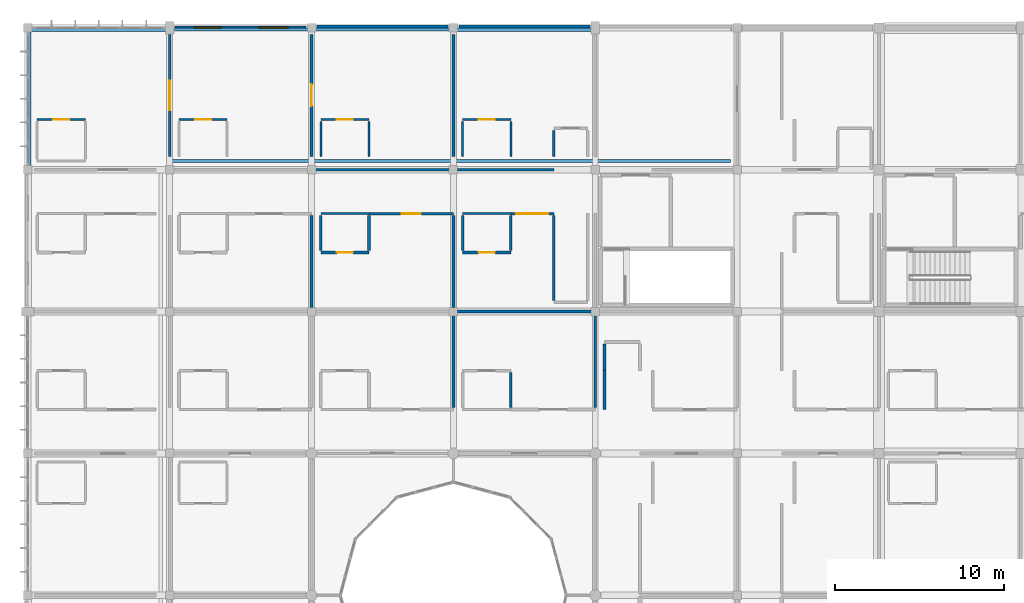
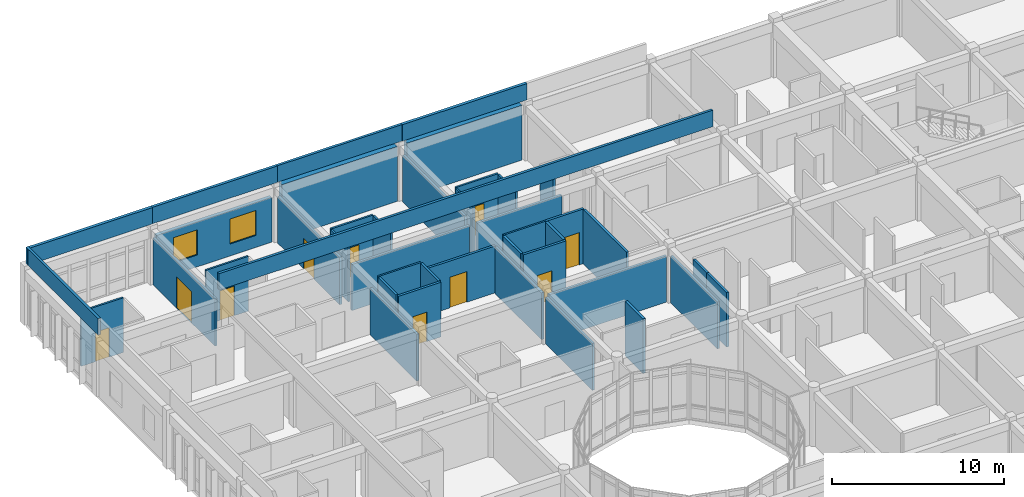
# One storey, part 87 of 119: 42 walls, 10 doors, 2 windows, 12 openings.
"""IFC4 building model written with IfcOpenShell, lengths in metres."""

from ifc_helpers import new_model, si_unit, direction, frame, frame_2d, origin, place, context, subcontext, project, spatial, rectangle, extrude, material, layer, layer_set, type_object, element, fill, save


model = new_model("IFC4")

# Units and contexts
model_context = context("Model", 3, precision=1e-05, world=origin(), true_north=direction((0.0, 1.0)))
body_context = subcontext(model_context, "Body", "Model", "MODEL_VIEW")
ifc_project = project(units=[si_unit("LENGTHUNIT", "METRE"), si_unit("AREAUNIT", "SQUARE_METRE"), si_unit("VOLUMEUNIT", "CUBIC_METRE"), si_unit("PLANEANGLEUNIT", "RADIAN"), si_unit("MASSUNIT", "GRAM", prefix="KILO")], contexts=[model_context])

# Site, building, storey
site_placement = place(None, origin())
site = spatial("IfcSite", under=ifc_project, at=site_placement, CompositionType="ELEMENT")
building_placement = place(site_placement, origin())
building = spatial("IfcBuilding", under=site, at=building_placement, Name="Bramfleet General Hospital", CompositionType="ELEMENT")
storey_placement = place(building_placement, frame((0.0, 0.0, 14.39990234375)))
storey = spatial("IfcBuildingStorey", under=building, at=storey_placement, Name="L03", CompositionType="ELEMENT", Elevation=14.39990234375)

# Walls
ifc_material_1 = material(Name="Concrete C35/45", Category="concrete")
ifc_layer_1 = layer(ifc_material_1, 0.360107421875, Name="WT-EW-02")
ifc_layer_set_1 = layer_set([ifc_layer_1], Name="Concrete C35/45")
wall_type_1 = type_object("IfcWallType", Name="WT-EW-02", PredefinedType="SOLIDWALL", material=ifc_layer_set_1)
for number, where, z_axis, x_axis, name in (
    (1, (17.125, 117.60009765625, 0.0), (0.0, 0.0, 1.0), (1.0, 0.0, 0.0), "L03 North REI 90-M Party Wall 239"),
    (2, (25.52490234375, 117.60009765625, 0.0), (0.0, 0.0, 1.0), (1.0, 0.0, 0.0), "L03 North REI 90-M Party Wall 240"),
):
    element("IfcWall", number, at=place(storey_placement, frame(where, z_axis=z_axis, x_axis=x_axis)), inside=storey, type_object=wall_type_1, Name=name, PredefinedType="SOLIDWALL", context=body_context, shape_type="SweptSolid", body=[
        extrude(rectangle(XDim=7.75, YDim=0.360107421875, at=frame_2d((3.875, 0.0))), origin(), (0.0, 0.0, 1.0), 3.900146484375),
    ])

# Wall, openings, windows
ifc_material_2 = material(Name="Precast concrete C40/50", Category="concrete")
ifc_layer_2 = layer(ifc_material_2, 0.235107421875, Name="WT-EW-09")
ifc_layer_set_2 = layer_set([ifc_layer_2], Name="Precast concrete C40/50")
wall_type_2 = type_object("IfcWallType", Name="WT-EW-09", PredefinedType="SOLIDWALL", material=ifc_layer_set_2)
wall_1_placement = place(storey_placement, frame((8.72509765625, 117.60009765625, 0.0), z_axis=(0.0, 0.0, 1.0), x_axis=(1.0, 0.0, 0.0)))
wall_1 = element("IfcWall", 3, at=wall_1_placement, inside=storey, type_object=wall_type_2, Name="L03 Exterior Wall 238", PredefinedType="SOLIDWALL", context=body_context, shape_type="SweptSolid", body=[
    extrude(rectangle(XDim=7.75, YDim=0.235107421875, at=frame_2d((3.875, 0.0))), origin(), (0.0, 0.0, 1.0), 3.190185546875),
])
opening_1_placement = place(wall_1_placement, frame((1.137451171875, 0.0, 0.85009765625)))
opening_1 = element("IfcOpeningElement", 4, at=opening_1_placement, cuts=wall_1, Name="Opening W-44", PredefinedType="OPENING", context=body_context, shape_type="SweptSolid", body=[
    extrude(rectangle(XDim=1.60009765625, YDim=1.780029296875, at=frame_2d((0.800048828125, 0.89013671875))), frame((0.0, 0.12744140625, 0.0), z_axis=(0.0, -1.0, 0.0), x_axis=(1.0, 0.0, 0.0)), (0.0, 0.0, 1.0), 0.255126953125),
])
opening_2_placement = place(wall_1_placement, frame((4.9375, 0.0, 0.85009765625)))
opening_2 = element("IfcOpeningElement", 5, at=opening_2_placement, cuts=wall_1, Name="Opening W-45", PredefinedType="OPENING", context=body_context, shape_type="SweptSolid", body=[
    extrude(rectangle(XDim=1.75, YDim=1.780029296875, at=frame_2d((0.875, 0.89013671875))), frame((0.0, 0.12744140625, 0.0), z_axis=(0.0, -1.0, 0.0), x_axis=(1.0, 0.0, 0.0)), (0.0, 0.0, 1.0), 0.255126953125),
])
ifc_material_3 = material(Name="Anodised aluminium and low-E triple glazing", Category="aluminium")
window_type_1 = type_object("IfcWindowType", Name="WIN-W-44", PartitioningType="SINGLE_PANEL", PredefinedType="WINDOW", material=ifc_material_3)
window_1_placement = place(opening_1_placement, origin())
window_1 = element("IfcWindow", 6, at=window_1_placement, inside=storey, type_object=window_type_1, Name="L03 Facade Window WIN-L03-238-1", OverallHeight=1.780029296875, OverallWidth=1.60009765625, PartitioningType="SINGLE_PANEL", PredefinedType="WINDOW", context=body_context, shape_type="SweptSolid", body=[
    extrude(rectangle(XDim=1.60009765625, YDim=1.780029296875, at=frame_2d((0.800048828125, 0.89013671875))), frame((0.0, 0.030029296875, 0.0), z_axis=(0.0, -1.0, 0.0), x_axis=(1.0, 0.0, 0.0)), (0.0, 0.0, 1.0), 0.06005859375),
])
fill(opening_1, window_1)
window_type_2 = type_object("IfcWindowType", Name="WIN-W-45", PartitioningType="SINGLE_PANEL", PredefinedType="WINDOW", material=ifc_material_3)
window_2_placement = place(opening_2_placement, origin())
window_2 = element("IfcWindow", 7, at=window_2_placement, inside=storey, type_object=window_type_2, Name="L03 Facade Window WIN-L03-238-2", OverallHeight=1.780029296875, OverallWidth=1.75, PartitioningType="SINGLE_PANEL", PredefinedType="WINDOW", context=body_context, shape_type="SweptSolid", body=[
    extrude(rectangle(XDim=1.75, YDim=1.780029296875, at=frame_2d((0.875, 0.89013671875))), frame((0.0, 0.030029296875, 0.0), z_axis=(0.0, -1.0, 0.0), x_axis=(1.0, 0.0, 0.0)), (0.0, 0.0, 1.0), 0.06005859375),
])
fill(opening_2, window_2)

# Wall
ifc_material_4 = material(Name="Gypsum plasterboard on acoustic steel studs", Category="steel")
ifc_layer_3 = layer(ifc_material_4, 0.159912109375, Name="WT-IW-06")
ifc_layer_set_3 = layer_set([ifc_layer_3], Name="Gypsum plasterboard on acoustic steel studs")
wall_type_3 = type_object("IfcWallType", Name="WT-IW-06", PredefinedType="PARTITIONING", material=ifc_layer_set_3)
wall_2_placement = place(storey_placement, frame((25.445068359375, 100.800048828125, 0.0), z_axis=(0.0, 0.0, 1.0), x_axis=(1.0, 0.0, 0.0)))
element("IfcWall", 8, at=wall_2_placement, inside=storey, type_object=wall_type_3, Name="L03 Interior Partition IW-L03-2688", PredefinedType="PARTITIONING", context=body_context, shape_type="SweptSolid", body=[
    extrude(rectangle(XDim=7.909912109375, YDim=0.159912109375, at=frame_2d((3.955078125, 0.0))), origin(), (0.0, 0.0, 1.0), 3.280029296875),
])

# Wall, opening, door
wall_3_placement = place(storey_placement, frame((17.35009765625, 104.300048828125, 0.0), z_axis=(0.0, 0.0, 1.0), x_axis=(1.0, 0.0, 0.0)))
wall_3 = element("IfcWall", 9, at=wall_3_placement, inside=storey, type_object=wall_type_3, Name="L03 Interior Partition IW-L03-2713", PredefinedType="PARTITIONING", context=body_context, shape_type="SweptSolid", body=[
    extrude(rectangle(XDim=2.849853515625, YDim=0.159912109375, at=frame_2d((1.4248046875, 0.0))), origin(), (0.0, 0.0, 1.0), 3.89013671875),
])
opening_3_placement = place(wall_3_placement, frame((0.949951171875, 0.0, 0.0)))
opening_3 = element("IfcOpeningElement", 10, at=opening_3_placement, cuts=wall_3, Name="Opening D1052", PredefinedType="OPENING", context=body_context, shape_type="SweptSolid", body=[
    extrude(rectangle(XDim=0.949951171875, YDim=2.10009765625, at=frame_2d((0.47509765625, 1.050048828125))), frame((0.0, 0.08984375, 0.0), z_axis=(0.0, -1.0, 0.0), x_axis=(1.0, 0.0, 0.0)), (0.0, 0.0, 1.0), 0.179931640625),
])
ifc_material_5 = material(Name="Stainless steel and acoustic timber leaf", Category="steel")
door_type_1 = type_object("IfcDoorType", Name="DR-D-10", OperationType="NOTDEFINED", PredefinedType="DOOR", material=ifc_material_5)
door_1_placement = place(opening_3_placement, origin())
door_1 = element("IfcDoor", 11, at=door_1_placement, inside=storey, type_object=door_type_1, Name="Neonatal Family En-Suite WC L03-0212 Door D1052", OperationType="SINGLE_SWING_LEFT", OverallHeight=2.10009765625, OverallWidth=0.949951171875, PredefinedType="DOOR", context=body_context, shape_type="SweptSolid", body=[
    extrude(rectangle(XDim=0.949951171875, YDim=2.10009765625, at=frame_2d((0.47509765625, 1.050048828125))), frame((0.0, 0.02490234375, 0.0), z_axis=(0.0, -1.0, 0.0), x_axis=(1.0, 0.0, 0.0)), (0.0, 0.0, 1.0), 0.050048828125),
])
fill(opening_3, door_1)

wall_4_placement = place(storey_placement, frame((25.75, 104.300048828125, 0.0), z_axis=(0.0, 0.0, 1.0), x_axis=(1.0, 0.0, 0.0)))
wall_4 = element("IfcWall", 12, at=wall_4_placement, inside=storey, type_object=wall_type_3, Name="L03 Interior Partition IW-L03-2714", PredefinedType="PARTITIONING", context=body_context, shape_type="SweptSolid", body=[
    extrude(rectangle(XDim=2.85009765625, YDim=0.159912109375, at=frame_2d((1.425048828125, 0.0))), origin(), (0.0, 0.0, 1.0), 3.89013671875),
])
opening_4_placement = place(wall_4_placement, frame((0.949951171875, 0.0, 0.0)))
opening_4 = element("IfcOpeningElement", 13, at=opening_4_placement, cuts=wall_4, Name="Opening D1063", PredefinedType="OPENING", context=body_context, shape_type="SweptSolid", body=[
    extrude(rectangle(XDim=0.949951171875, YDim=2.10009765625, at=frame_2d((0.47509765625, 1.050048828125))), frame((0.0, 0.08984375, 0.0), z_axis=(0.0, -1.0, 0.0), x_axis=(1.0, 0.0, 0.0)), (0.0, 0.0, 1.0), 0.179931640625),
])
door_2_placement = place(opening_4_placement, origin())
door_2 = element("IfcDoor", 14, at=door_2_placement, inside=storey, type_object=door_type_1, Name="Neonatal Family En-Suite WC L03-0312 Door D1063", OperationType="SINGLE_SWING_LEFT", OverallHeight=2.10009765625, OverallWidth=0.949951171875, PredefinedType="DOOR", context=body_context, shape_type="SweptSolid", body=[
    extrude(rectangle(XDim=0.949951171875, YDim=2.10009765625, at=frame_2d((0.47509765625, 1.050048828125))), frame((0.0, 0.02490234375, 0.0), z_axis=(0.0, -1.0, 0.0), x_axis=(1.0, 0.0, 0.0)), (0.0, 0.0, 1.0), 0.050048828125),
])
fill(opening_4, door_2)

wall_5_placement = place(storey_placement, frame((20.199951171875, 106.60009765625, 0.0), z_axis=(0.0, 0.0, 1.0), x_axis=(1.0, 0.0, 0.0)))
wall_5 = element("IfcWall", 15, at=wall_5_placement, inside=storey, type_object=wall_type_3, Name="L03 Interior Partition IW-L03-2720", PredefinedType="PARTITIONING", context=body_context, shape_type="SweptSolid", body=[
    extrude(rectangle(XDim=5.0, YDim=0.159912109375, at=frame_2d((2.5, 0.0))), origin(), (0.0, 0.0, 1.0), 3.330078125),
])
opening_5_placement = place(wall_5_placement, frame((1.93994140625, 0.0, 0.0)))
opening_5 = element("IfcOpeningElement", 16, at=opening_5_placement, cuts=wall_5, Name="Opening D1051", PredefinedType="OPENING", context=body_context, shape_type="SweptSolid", body=[
    extrude(rectangle(XDim=1.1201171875, YDim=2.179931640625, at=frame_2d((0.56005859375, 1.08984375))), frame((0.0, 0.08984375, 0.0), z_axis=(0.0, -1.0, 0.0), x_axis=(1.0, 0.0, 0.0)), (0.0, 0.0, 1.0), 0.179931640625),
])
door_type_2 = type_object("IfcDoorType", Name="DR-D-27", OperationType="NOTDEFINED", PredefinedType="DOOR", material=ifc_material_5)
door_3_placement = place(opening_5_placement, origin())
door_3 = element("IfcDoor", 17, at=door_3_placement, inside=storey, type_object=door_type_2, Name="Neonatal Intensive Care Ward L03-0212 Door D1051", OperationType="SINGLE_SWING_RIGHT", OverallHeight=2.179931640625, OverallWidth=1.1201171875, PredefinedType="DOOR", context=body_context, shape_type="SweptSolid", body=[
    extrude(rectangle(XDim=1.1201171875, YDim=2.179931640625, at=frame_2d((0.56005859375, 1.08984375))), frame((0.0, 0.02490234375, 0.0), z_axis=(0.0, -1.0, 0.0), x_axis=(1.0, 0.0, 0.0)), (0.0, 0.0, 1.0), 0.050048828125),
])
fill(opening_5, door_3)

wall_6_placement = place(storey_placement, frame((28.60009765625, 106.60009765625, 0.0), z_axis=(0.0, 0.0, 1.0), x_axis=(1.0, 0.0, 0.0)))
wall_6 = element("IfcWall", 18, at=wall_6_placement, inside=storey, type_object=wall_type_3, Name="L03 Interior Partition IW-L03-2722", PredefinedType="PARTITIONING", context=body_context, shape_type="SweptSolid", body=[
    extrude(rectangle(XDim=2.5498046875, YDim=0.159912109375, at=frame_2d((1.27490234375, 0.0))), origin(), (0.0, 0.0, 1.0), 3.89013671875),
])
opening_6_placement = place(wall_6_placement, frame((0.324951171875, 0.0, 0.0)))
opening_6 = element("IfcOpeningElement", 19, at=opening_6_placement, cuts=wall_6, Name="Opening D1062", PredefinedType="OPENING", context=body_context, shape_type="SweptSolid", body=[
    extrude(rectangle(XDim=1.89990234375, YDim=2.300048828125, at=frame_2d((0.949951171875, 1.14990234375))), frame((0.0, 0.08984375, 0.0), z_axis=(0.0, -1.0, 0.0), x_axis=(1.0, 0.0, 0.0)), (0.0, 0.0, 1.0), 0.179931640625),
])
door_type_3 = type_object("IfcDoorType", Name="DR-D-06", OperationType="NOTDEFINED", PredefinedType="DOOR", material=ifc_material_5)
door_4_placement = place(opening_6_placement, origin())
door_4 = element("IfcDoor", 20, at=door_4_placement, inside=storey, type_object=door_type_3, Name="Neonatal Intensive Care Ward L03-0312 Door D1062", OperationType="DOUBLE_SWING_LEFT", OverallHeight=2.300048828125, OverallWidth=1.89990234375, PredefinedType="DOOR", context=body_context, shape_type="SweptSolid", body=[
    extrude(rectangle(XDim=1.89990234375, YDim=2.300048828125, at=frame_2d((0.949951171875, 1.14990234375))), frame((0.0, 0.02490234375, 0.0), z_axis=(0.0, -1.0, 0.0), x_axis=(1.0, 0.0, 0.0)), (0.0, 0.0, 1.0), 0.050048828125),
])
fill(opening_6, door_4)

# Walls
wall_7_placement = place(storey_placement, frame((17.044921875, 109.199951171875, 0.0), z_axis=(0.0, 0.0, 1.0), x_axis=(1.0, 0.0, 0.0)))
element("IfcWall", 21, at=wall_7_placement, inside=storey, type_object=wall_type_3, Name="L03 Interior Partition IW-L03-2737", PredefinedType="PARTITIONING", context=body_context, shape_type="SweptSolid", body=[
    extrude(rectangle(XDim=7.91015625, YDim=0.159912109375, at=frame_2d((3.955078125, 0.0))), origin(), (0.0, 0.0, 1.0), 3.280029296875),
])
wall_8_placement = place(storey_placement, frame((25.445068359375, 109.199951171875, 0.0), z_axis=(0.0, 0.0, 1.0), x_axis=(1.0, 0.0, 0.0)))
element("IfcWall", 22, at=wall_8_placement, inside=storey, type_object=wall_type_3, Name="L03 Interior Partition IW-L03-2738", PredefinedType="PARTITIONING", context=body_context, shape_type="SweptSolid", body=[
    extrude(rectangle(XDim=5.704833984375, YDim=0.159912109375, at=frame_2d((2.8525390625, 0.0))), origin(), (0.0, 0.0, 1.0), 3.280029296875),
])

# Wall, opening, door
wall_9_placement = place(storey_placement, frame((8.39990234375, 109.9951171875, 0.0), z_axis=(0.0, 0.0, 1.0), x_axis=(0.0, 1.0, 0.0)))
wall_9 = element("IfcWall", 23, at=wall_9_placement, inside=storey, type_object=wall_type_3, Name="L03 Interior Partition IW-L03-2780", PredefinedType="PARTITIONING", context=body_context, shape_type="SweptSolid", body=[
    extrude(rectangle(XDim=7.21484375, YDim=0.159912109375, at=frame_2d((3.607421875, 0.0))), origin(), (0.0, 0.0, 1.0), 3.340087890625),
])
opening_7_placement = place(wall_9_placement, frame((2.737548828125, 0.0, 0.0)))
opening_7 = element("IfcOpeningElement", 24, at=opening_7_placement, cuts=wall_9, Name="Opening D1043", PredefinedType="OPENING", context=body_context, shape_type="SweptSolid", body=[
    extrude(rectangle(XDim=1.739990234375, YDim=2.239990234375, at=frame_2d((0.8701171875, 1.1201171875))), frame((0.0, 0.08984375, 0.0), z_axis=(0.0, -1.0, 0.0), x_axis=(1.0, 0.0, 0.0)), (0.0, 0.0, 1.0), 0.179931640625),
])
door_type_4 = type_object("IfcDoorType", Name="DR-D-19", OperationType="NOTDEFINED", PredefinedType="DOOR", material=ifc_material_5)
door_5_placement = place(opening_7_placement, origin())
door_5 = element("IfcDoor", 25, at=door_5_placement, inside=storey, type_object=door_type_4, Name="Neonatal Intensive Care Ward L03-0113 Door D1043", OperationType="DOUBLE_SWING_RIGHT", OverallHeight=2.239990234375, OverallWidth=1.739990234375, PredefinedType="DOOR", context=body_context, shape_type="SweptSolid", body=[
    extrude(rectangle(XDim=1.739990234375, YDim=2.239990234375, at=frame_2d((0.8701171875, 1.1201171875))), frame((0.0, 0.02490234375, 0.0), z_axis=(0.0, -1.0, 0.0), x_axis=(1.0, 0.0, 0.0)), (0.0, 0.0, 1.0), 0.050048828125),
])
fill(opening_7, door_5)

# Wall
wall_10_placement = place(storey_placement, frame((16.800048828125, 101.044921875, 0.0), z_axis=(0.0, 0.0, 1.0), x_axis=(0.0, 1.0, 0.0)))
element("IfcWall", 26, at=wall_10_placement, inside=storey, type_object=wall_type_3, Name="L03 Interior Partition IW-L03-2797", PredefinedType="PARTITIONING", context=body_context, shape_type="SweptSolid", body=[
    extrude(rectangle(XDim=5.440185546875, YDim=0.159912109375, at=frame_2d((2.72021484375, 0.0))), origin(), (0.0, 0.0, 1.0), 3.330078125),
])

# Wall, opening, door
wall_11_placement = place(storey_placement, frame((16.800048828125, 109.9951171875, 0.0), z_axis=(0.0, 0.0, 1.0), x_axis=(0.0, 1.0, 0.0)))
wall_11 = element("IfcWall", 27, at=wall_11_placement, inside=storey, type_object=wall_type_3, Name="L03 Interior Partition IW-L03-2798", PredefinedType="PARTITIONING", context=body_context, shape_type="SweptSolid", body=[
    extrude(rectangle(XDim=7.222412109375, YDim=0.159912109375, at=frame_2d((3.611328125, 0.0))), origin(), (0.0, 0.0, 1.0), 3.340087890625),
])
opening_8_placement = place(wall_11_placement, frame((2.97119140625, 0.0, 0.0)))
opening_8 = element("IfcOpeningElement", 28, at=opening_8_placement, cuts=wall_11, Name="Opening D1053", PredefinedType="OPENING", context=body_context, shape_type="SweptSolid", body=[
    extrude(rectangle(XDim=1.280029296875, YDim=2.179931640625, at=frame_2d((0.64013671875, 1.08984375))), frame((0.0, 0.08984375, 0.0), z_axis=(0.0, -1.0, 0.0), x_axis=(1.0, 0.0, 0.0)), (0.0, 0.0, 1.0), 0.179931640625),
])
door_type_5 = type_object("IfcDoorType", Name="DR-D-29", OperationType="NOTDEFINED", PredefinedType="DOOR", material=ifc_material_5)
door_6_placement = place(opening_8_placement, origin())
door_6 = element("IfcDoor", 29, at=door_6_placement, inside=storey, type_object=door_type_5, Name="Neonatal Intensive Care Ward L03-0213 Door D1053", OperationType="SINGLE_SWING_RIGHT", OverallHeight=2.179931640625, OverallWidth=1.280029296875, PredefinedType="DOOR", context=body_context, shape_type="SweptSolid", body=[
    extrude(rectangle(XDim=1.280029296875, YDim=2.179931640625, at=frame_2d((0.64013671875, 1.08984375))), frame((0.0, 0.02490234375, 0.0), z_axis=(0.0, -1.0, 0.0), x_axis=(1.0, 0.0, 0.0)), (0.0, 0.0, 1.0), 0.050048828125),
])
fill(opening_8, door_6)

# Walls
for number, where, z_axis, x_axis, name in (
    (30, (17.35009765625, 104.4150390625, 0.0), (0.0, 0.0, 1.0), (0.0, 1.0, 0.0), "L03 Interior Partition IW-L03-2800"),
    (31, (20.199951171875, 104.4150390625, 0.0), (0.0, 0.0, 1.0), (0.0, 1.0, 0.0), "L03 Interior Partition IW-L03-2803"),
):
    element("IfcWall", number, at=place(storey_placement, frame(where, z_axis=z_axis, x_axis=x_axis)), inside=storey, type_object=wall_type_3, Name=name, PredefinedType="PARTITIONING", context=body_context, shape_type="SweptSolid", body=[
        extrude(rectangle(XDim=2.070068359375, YDim=0.159912109375, at=frame_2d((1.03515625, 0.0))), origin(), (0.0, 0.0, 1.0), 3.89013671875),
    ])
wall_12_placement = place(storey_placement, frame((25.199951171875, 95.114990234375, 0.0), z_axis=(0.0, 0.0, 1.0), x_axis=(0.0, 1.0, 0.0)))
element("IfcWall", 32, at=wall_12_placement, inside=storey, type_object=wall_type_3, Name="L03 Interior Partition IW-L03-2809", PredefinedType="PARTITIONING", context=body_context, shape_type="SweptSolid", body=[
    extrude(rectangle(XDim=5.43994140625, YDim=0.159912109375, at=frame_2d((2.719970703125, 0.0))), origin(), (0.0, 0.0, 1.0), 3.330078125),
])
wall_13_placement = place(storey_placement, frame((25.199951171875, 101.044921875, 0.0), z_axis=(0.0, 0.0, 1.0), x_axis=(0.0, 1.0, 0.0)))
element("IfcWall", 33, at=wall_13_placement, inside=storey, type_object=wall_type_3, Name="L03 Interior Partition IW-L03-2810", PredefinedType="PARTITIONING", context=body_context, shape_type="SweptSolid", body=[
    extrude(rectangle(XDim=5.440185546875, YDim=0.159912109375, at=frame_2d((2.72021484375, 0.0))), origin(), (0.0, 0.0, 1.0), 3.330078125),
])
wall_14_placement = place(storey_placement, frame((25.199951171875, 109.9951171875, 0.0), z_axis=(0.0, 0.0, 1.0), x_axis=(0.0, 1.0, 0.0)))
element("IfcWall", 34, at=wall_14_placement, inside=storey, type_object=wall_type_3, Name="L03 Interior Partition IW-L03-2811", PredefinedType="PARTITIONING", context=body_context, shape_type="SweptSolid", body=[
    extrude(rectangle(XDim=7.21484375, YDim=0.159912109375, at=frame_2d((3.607421875, 0.0))), origin(), (0.0, 0.0, 1.0), 3.340087890625),
])
for number, where, z_axis, x_axis, name in (
    (35, (25.75, 104.4150390625, 0.0), (0.0, 0.0, 1.0), (0.0, 1.0, 0.0), "L03 Interior Partition IW-L03-2813"),
    (36, (28.60009765625, 95.114990234375, 0.0), (0.0, 0.0, 1.0), (0.0, 1.0, 0.0), "L03 Interior Partition IW-L03-2815"),
    (37, (28.60009765625, 104.4150390625, 0.0), (0.0, 0.0, 1.0), (0.0, 1.0, 0.0), "L03 Interior Partition IW-L03-2816"),
):
    element("IfcWall", number, at=place(storey_placement, frame(where, z_axis=z_axis, x_axis=x_axis)), inside=storey, type_object=wall_type_3, Name=name, PredefinedType="PARTITIONING", context=body_context, shape_type="SweptSolid", body=[
        extrude(rectangle(XDim=2.070068359375, YDim=0.159912109375, at=frame_2d((1.03515625, 0.0))), origin(), (0.0, 0.0, 1.0), 3.89013671875),
    ])
wall_15_placement = place(storey_placement, frame((31.14990234375, 101.465087890625, 0.0), z_axis=(0.0, 0.0, 1.0), x_axis=(0.0, 1.0, 0.0)))
element("IfcWall", 38, at=wall_15_placement, inside=storey, type_object=wall_type_3, Name="L03 Interior Partition IW-L03-2818", PredefinedType="PARTITIONING", context=body_context, shape_type="SweptSolid", body=[
    extrude(rectangle(XDim=5.02001953125, YDim=0.159912109375, at=frame_2d((2.510009765625, 0.0))), origin(), (0.0, 0.0, 1.0), 3.89013671875),
])
wall_16_placement = place(storey_placement, frame((31.14990234375, 109.9951171875, 0.0), z_axis=(0.0, 0.0, 1.0), x_axis=(0.0, 1.0, 0.0)))
element("IfcWall", 39, at=wall_16_placement, inside=storey, type_object=wall_type_3, Name="L03 Interior Partition IW-L03-2819", PredefinedType="PARTITIONING", context=body_context, shape_type="SweptSolid", body=[
    extrude(rectangle(XDim=1.539794921875, YDim=0.159912109375, at=frame_2d((0.77001953125, 0.0))), origin(), (0.0, 0.0, 1.0), 3.89013671875),
])
wall_17_placement = place(storey_placement, frame((33.60009765625, 95.114990234375, 0.0), z_axis=(0.0, 0.0, 1.0), x_axis=(0.0, 1.0, 0.0)))
element("IfcWall", 40, at=wall_17_placement, inside=storey, type_object=wall_type_3, Name="L03 Interior Partition IW-L03-2827", PredefinedType="PARTITIONING", context=body_context, shape_type="SweptSolid", body=[
    extrude(rectangle(XDim=5.43994140625, YDim=0.159912109375, at=frame_2d((2.719970703125, 0.0))), origin(), (0.0, 0.0, 1.0), 3.330078125),
])
wall_18_placement = place(storey_placement, frame((34.14990234375, 95.0, 0.0), z_axis=(0.0, 0.0, 1.0), x_axis=(0.0, 1.0, 0.0)))
element("IfcWall", 41, at=wall_18_placement, inside=storey, type_object=wall_type_3, Name="L03 Interior Partition IW-L03-2830", PredefinedType="PARTITIONING", context=body_context, shape_type="SweptSolid", body=[
    extrude(rectangle(XDim=2.300048828125, YDim=0.159912109375, at=frame_2d((1.14990234375, 0.0))), origin(), (0.0, 0.0, 1.0), 3.89013671875),
])
wall_19_placement = place(storey_placement, frame((34.14990234375, 97.300048828125, 0.0), z_axis=(0.0, 0.0, 1.0), x_axis=(0.0, 1.0, 0.0)))
element("IfcWall", 42, at=wall_19_placement, inside=storey, type_object=wall_type_3, Name="L03 Interior Partition IW-L03-2831", PredefinedType="PARTITIONING", context=body_context, shape_type="SweptSolid", body=[
    extrude(rectangle(XDim=1.5849609375, YDim=0.159912109375, at=frame_2d((0.79248046875, 0.0))), origin(), (0.0, 0.0, 1.0), 3.89013671875),
])
ifc_layer_4 = layer(ifc_material_4, 0.1201171875, Name="WT-IW-10")
ifc_layer_set_4 = layer_set([ifc_layer_4], Name="Gypsum plasterboard on acoustic steel studs")
wall_type_4 = type_object("IfcWallType", Name="WT-IW-10", PredefinedType="PARTITIONING", material=ifc_layer_set_4)
wall_20_placement = place(storey_placement, frame((17.35009765625, 106.60009765625, 0.0), z_axis=(0.0, 0.0, 1.0), x_axis=(1.0, 0.0, 0.0)))
element("IfcWall", 43, at=wall_20_placement, inside=storey, type_object=wall_type_4, Name="L03 Interior Partition IW-L03-2719", PredefinedType="PARTITIONING", context=body_context, shape_type="SweptSolid", body=[
    extrude(rectangle(XDim=2.849853515625, YDim=0.1201171875, at=frame_2d((1.4248046875, 0.0))), origin(), (0.0, 0.0, 1.0), 3.89013671875),
])
wall_21_placement = place(storey_placement, frame((25.75, 106.60009765625, 0.0), z_axis=(0.0, 0.0, 1.0), x_axis=(1.0, 0.0, 0.0)))
element("IfcWall", 44, at=wall_21_placement, inside=storey, type_object=wall_type_4, Name="L03 Interior Partition IW-L03-2721", PredefinedType="PARTITIONING", context=body_context, shape_type="SweptSolid", body=[
    extrude(rectangle(XDim=2.85009765625, YDim=0.1201171875, at=frame_2d((1.425048828125, 0.0))), origin(), (0.0, 0.0, 1.0), 3.89013671875),
])

# Wall, opening, door
wall_22_placement = place(storey_placement, frame((0.550048828125, 112.169921875, 0.0), z_axis=(0.0, 0.0, 1.0), x_axis=(1.0, 0.0, 0.0)))
wall_22 = element("IfcWall", 45, at=wall_22_placement, inside=storey, type_object=wall_type_4, Name="L03 Interior Partition IW-L03-2761", PredefinedType="PARTITIONING", context=body_context, shape_type="SweptSolid", body=[
    extrude(rectangle(XDim=2.849853515625, YDim=0.1201171875, at=frame_2d((1.4248046875, 0.0))), origin(), (0.0, 0.0, 1.0), 3.89013671875),
])
opening_9_placement = place(wall_22_placement, frame((0.949951171875, 0.0, 0.0)))
opening_9 = element("IfcOpeningElement", 46, at=opening_9_placement, cuts=wall_22, Name="Opening D1032", PredefinedType="OPENING", context=body_context, shape_type="SweptSolid", body=[
    extrude(rectangle(XDim=0.949951171875, YDim=2.10009765625, at=frame_2d((0.47509765625, 1.050048828125))), frame((0.0, 0.070068359375, 0.0), z_axis=(0.0, -1.0, 0.0), x_axis=(1.0, 0.0, 0.0)), (0.0, 0.0, 1.0), 0.14013671875),
])
door_7_placement = place(opening_9_placement, origin())
door_7 = element("IfcDoor", 47, at=door_7_placement, inside=storey, type_object=door_type_1, Name="Neonatal Family En-Suite WC L03-0013 Door D1032", OperationType="SINGLE_SWING_LEFT", OverallHeight=2.10009765625, OverallWidth=0.949951171875, PredefinedType="DOOR", context=body_context, shape_type="SweptSolid", body=[
    extrude(rectangle(XDim=0.949951171875, YDim=2.10009765625, at=frame_2d((0.47509765625, 1.050048828125))), frame((0.0, 0.02490234375, 0.0), z_axis=(0.0, -1.0, 0.0), x_axis=(1.0, 0.0, 0.0)), (0.0, 0.0, 1.0), 0.050048828125),
])
fill(opening_9, door_7)

wall_23_placement = place(storey_placement, frame((8.949951171875, 112.169921875, 0.0), z_axis=(0.0, 0.0, 1.0), x_axis=(1.0, 0.0, 0.0)))
wall_23 = element("IfcWall", 48, at=wall_23_placement, inside=storey, type_object=wall_type_4, Name="L03 Interior Partition IW-L03-2762", PredefinedType="PARTITIONING", context=body_context, shape_type="SweptSolid", body=[
    extrude(rectangle(XDim=2.85009765625, YDim=0.1201171875, at=frame_2d((1.425048828125, 0.0))), origin(), (0.0, 0.0, 1.0), 3.89013671875),
])
opening_10_placement = place(wall_23_placement, frame((0.949951171875, 0.0, 0.0)))
opening_10 = element("IfcOpeningElement", 49, at=opening_10_placement, cuts=wall_23, Name="Opening D1044", PredefinedType="OPENING", context=body_context, shape_type="SweptSolid", body=[
    extrude(rectangle(XDim=0.949951171875, YDim=2.10009765625, at=frame_2d((0.47509765625, 1.050048828125))), frame((0.0, 0.070068359375, 0.0), z_axis=(0.0, -1.0, 0.0), x_axis=(1.0, 0.0, 0.0)), (0.0, 0.0, 1.0), 0.14013671875),
])
door_8_placement = place(opening_10_placement, origin())
door_8 = element("IfcDoor", 50, at=door_8_placement, inside=storey, type_object=door_type_1, Name="Neonatal Family En-Suite WC L03-0113 Door D1044", OperationType="SINGLE_SWING_LEFT", OverallHeight=2.10009765625, OverallWidth=0.949951171875, PredefinedType="DOOR", context=body_context, shape_type="SweptSolid", body=[
    extrude(rectangle(XDim=0.949951171875, YDim=2.10009765625, at=frame_2d((0.47509765625, 1.050048828125))), frame((0.0, 0.02490234375, 0.0), z_axis=(0.0, -1.0, 0.0), x_axis=(1.0, 0.0, 0.0)), (0.0, 0.0, 1.0), 0.050048828125),
])
fill(opening_10, door_8)

wall_24_placement = place(storey_placement, frame((17.35009765625, 112.169921875, 0.0), z_axis=(0.0, 0.0, 1.0), x_axis=(1.0, 0.0, 0.0)))
wall_24 = element("IfcWall", 51, at=wall_24_placement, inside=storey, type_object=wall_type_4, Name="L03 Interior Partition IW-L03-2763", PredefinedType="PARTITIONING", context=body_context, shape_type="SweptSolid", body=[
    extrude(rectangle(XDim=2.849853515625, YDim=0.1201171875, at=frame_2d((1.4248046875, 0.0))), origin(), (0.0, 0.0, 1.0), 3.89013671875),
])
opening_11_placement = place(wall_24_placement, frame((0.949951171875, 0.0, 0.0)))
opening_11 = element("IfcOpeningElement", 52, at=opening_11_placement, cuts=wall_24, Name="Opening D1054", PredefinedType="OPENING", context=body_context, shape_type="SweptSolid", body=[
    extrude(rectangle(XDim=0.949951171875, YDim=2.10009765625, at=frame_2d((0.47509765625, 1.050048828125))), frame((0.0, 0.070068359375, 0.0), z_axis=(0.0, -1.0, 0.0), x_axis=(1.0, 0.0, 0.0)), (0.0, 0.0, 1.0), 0.14013671875),
])
door_9_placement = place(opening_11_placement, origin())
door_9 = element("IfcDoor", 53, at=door_9_placement, inside=storey, type_object=door_type_1, Name="Neonatal Family En-Suite WC L03-0213 Door D1054", OperationType="SINGLE_SWING_LEFT", OverallHeight=2.10009765625, OverallWidth=0.949951171875, PredefinedType="DOOR", context=body_context, shape_type="SweptSolid", body=[
    extrude(rectangle(XDim=0.949951171875, YDim=2.10009765625, at=frame_2d((0.47509765625, 1.050048828125))), frame((0.0, 0.02490234375, 0.0), z_axis=(0.0, -1.0, 0.0), x_axis=(1.0, 0.0, 0.0)), (0.0, 0.0, 1.0), 0.050048828125),
])
fill(opening_11, door_9)

wall_25_placement = place(storey_placement, frame((25.75, 112.169921875, 0.0), z_axis=(0.0, 0.0, 1.0), x_axis=(1.0, 0.0, 0.0)))
wall_25 = element("IfcWall", 54, at=wall_25_placement, inside=storey, type_object=wall_type_4, Name="L03 Interior Partition IW-L03-2764", PredefinedType="PARTITIONING", context=body_context, shape_type="SweptSolid", body=[
    extrude(rectangle(XDim=2.85009765625, YDim=0.1201171875, at=frame_2d((1.425048828125, 0.0))), origin(), (0.0, 0.0, 1.0), 3.89013671875),
])
opening_12_placement = place(wall_25_placement, frame((0.949951171875, 0.0, 0.0)))
opening_12 = element("IfcOpeningElement", 55, at=opening_12_placement, cuts=wall_25, Name="Opening D1065", PredefinedType="OPENING", context=body_context, shape_type="SweptSolid", body=[
    extrude(rectangle(XDim=0.949951171875, YDim=2.10009765625, at=frame_2d((0.47509765625, 1.050048828125))), frame((0.0, 0.070068359375, 0.0), z_axis=(0.0, -1.0, 0.0), x_axis=(1.0, 0.0, 0.0)), (0.0, 0.0, 1.0), 0.14013671875),
])
door_10_placement = place(opening_12_placement, origin())
door_10 = element("IfcDoor", 56, at=door_10_placement, inside=storey, type_object=door_type_1, Name="Neonatal Family En-Suite WC L03-0313 Door D1065", OperationType="SINGLE_SWING_LEFT", OverallHeight=2.10009765625, OverallWidth=0.949951171875, PredefinedType="DOOR", context=body_context, shape_type="SweptSolid", body=[
    extrude(rectangle(XDim=0.949951171875, YDim=2.10009765625, at=frame_2d((0.47509765625, 1.050048828125))), frame((0.0, 0.02490234375, 0.0), z_axis=(0.0, -1.0, 0.0), x_axis=(1.0, 0.0, 0.0)), (0.0, 0.0, 1.0), 0.050048828125),
])
fill(opening_12, door_10)

# Walls
for number, where, z_axis, x_axis, name in (
    (57, (17.35009765625, 109.9951171875, 0.0), (0.0, 0.0, 1.0), (0.0, 1.0, 0.0), "L03 Interior Partition IW-L03-2801"),
    (58, (20.199951171875, 109.9951171875, 0.0), (0.0, 0.0, 1.0), (0.0, 1.0, 0.0), "L03 Interior Partition IW-L03-2804"),
    (59, (25.75, 109.9951171875, 0.0), (0.0, 0.0, 1.0), (0.0, 1.0, 0.0), "L03 Interior Partition IW-L03-2814"),
    (60, (28.60009765625, 109.9951171875, 0.0), (0.0, 0.0, 1.0), (0.0, 1.0, 0.0), "L03 Interior Partition IW-L03-2817"),
):
    element("IfcWall", number, at=place(storey_placement, frame(where, z_axis=z_axis, x_axis=x_axis)), inside=storey, type_object=wall_type_4, Name=name, PredefinedType="PARTITIONING", context=body_context, shape_type="SweptSolid", body=[
        extrude(rectangle(XDim=2.059814453125, YDim=0.1201171875, at=frame_2d((1.02978515625, 0.0))), origin(), (0.0, 0.0, 1.0), 3.89013671875),
    ])
ifc_layer_5 = layer(ifc_material_2, 0.199951171875, Name="WT-PW-01")
ifc_layer_set_5 = layer_set([ifc_layer_5], Name="Precast concrete C40/50")
wall_type_5 = type_object("IfcWallType", Name="WT-PW-01", PredefinedType="PARAPET", material=ifc_layer_set_5)
wall_26_placement = place(storey_placement, frame((0.0, 117.489990234375, 4.18017578125), z_axis=(0.0, 0.0, 1.0), x_axis=(1.0, 0.0, 0.0)))
element("IfcWall", 61, at=wall_26_placement, inside=storey, type_object=wall_type_5, Name="Roof Parapet Wall 55", PredefinedType="PARAPET", context=body_context, shape_type="SweptSolid", body=[
    extrude(rectangle(XDim=8.39990234375, YDim=0.199951171875, at=frame_2d((4.199951171875, 0.0))), origin(), (0.0, 0.0, 1.0), 1.169921875),
])
wall_27_placement = place(storey_placement, frame((25.199951171875, 117.489990234375, 4.18017578125), z_axis=(0.0, 0.0, 1.0), x_axis=(1.0, 0.0, 0.0)))
element("IfcWall", 62, at=wall_27_placement, inside=storey, type_object=wall_type_5, Name="Roof Parapet Wall 58", PredefinedType="PARAPET", context=body_context, shape_type="SweptSolid", body=[
    extrude(rectangle(XDim=8.400146484375, YDim=0.199951171875, at=frame_2d((4.2001953125, 0.0))), origin(), (0.0, 0.0, 1.0), 1.169921875),
])
ifc_layer_6 = layer(ifc_material_2, 0.18505859375, Name="WT-PW-02")
ifc_layer_set_6 = layer_set([ifc_layer_6], Name="Precast concrete C40/50")
wall_type_6 = type_object("IfcWallType", Name="WT-PW-02", PredefinedType="PARAPET", material=ifc_layer_set_6)
wall_28_placement = place(storey_placement, frame((8.39990234375, 117.49755859375, 4.18017578125), z_axis=(0.0, 0.0, 1.0), x_axis=(1.0, 0.0, 0.0)))
element("IfcWall", 63, at=wall_28_placement, inside=storey, type_object=wall_type_6, Name="Roof Parapet Wall 56", PredefinedType="PARAPET", context=body_context, shape_type="SweptSolid", body=[
    extrude(rectangle(XDim=8.400146484375, YDim=0.18505859375, at=frame_2d((4.2001953125, 0.0))), origin(), (0.0, 0.0, 1.0), 1.169921875),
])
ifc_layer_7 = layer(ifc_material_2, 0.169921875, Name="WT-PW-03")
ifc_layer_set_7 = layer_set([ifc_layer_7], Name="Precast concrete C40/50")
wall_type_7 = type_object("IfcWallType", Name="WT-PW-03", PredefinedType="PARAPET", material=ifc_layer_set_7)
wall_29_placement = place(storey_placement, frame((0.094970703125, 109.199951171875, 4.18017578125), z_axis=(0.0, 0.0, 1.0), x_axis=(0.0, 1.0, 0.0)))
element("IfcWall", 64, at=wall_29_placement, inside=storey, type_object=wall_type_7, Name="Roof Parapet Wall 54", PredefinedType="PARAPET", context=body_context, shape_type="SweptSolid", body=[
    extrude(rectangle(XDim=8.400146484375, YDim=0.169921875, at=frame_2d((4.2001953125, 0.0))), origin(), (0.0, 0.0, 1.0), 1.169921875),
])
wall_30_placement = place(storey_placement, frame((16.800048828125, 117.5048828125, 4.18017578125), z_axis=(0.0, 0.0, 1.0), x_axis=(1.0, 0.0, 0.0)))
element("IfcWall", 65, at=wall_30_placement, inside=storey, type_object=wall_type_7, Name="Roof Parapet Wall 57", PredefinedType="PARAPET", context=body_context, shape_type="SweptSolid", body=[
    extrude(rectangle(XDim=8.39990234375, YDim=0.169921875, at=frame_2d((4.199951171875, 0.0))), origin(), (0.0, 0.0, 1.0), 1.169921875),
])
wall_31_placement = place(storey_placement, frame((41.6201171875, 109.715087890625, 4.18017578125), z_axis=(0.0, 0.0, 1.0), x_axis=(-1.0, 0.0, 0.0)))
element("IfcWall", 66, at=wall_31_placement, inside=storey, type_object=wall_type_7, Name="Roof Parapet Wall 60", PredefinedType="PARAPET", context=body_context, shape_type="SweptSolid", body=[
    extrude(rectangle(XDim=33.22021484375, YDim=0.169921875, at=frame_2d((16.610107421875, 0.0))), origin(), (0.0, 0.0, 1.0), 1.169921875),
])

save(model, "model.ifc")
